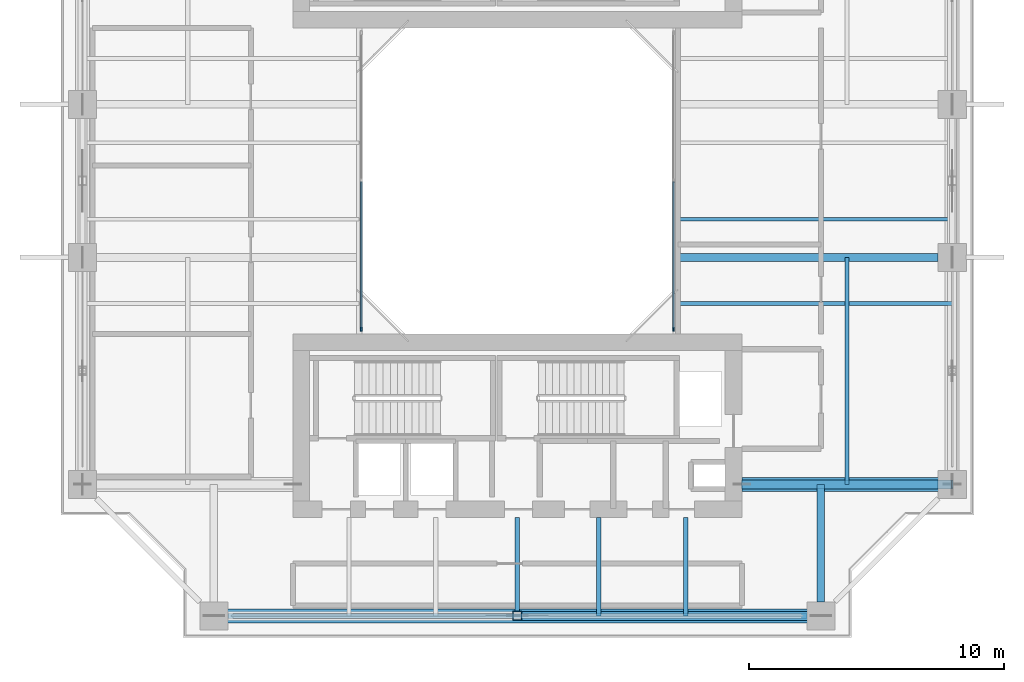
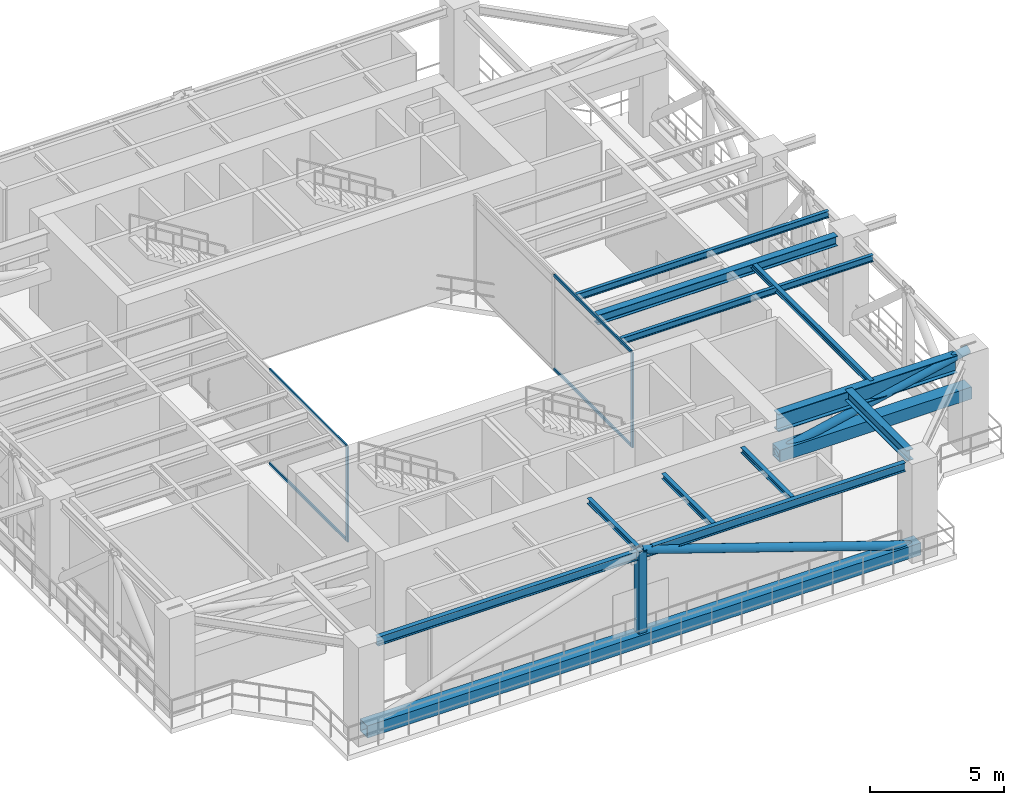
# One storey, part 2 of 11: 11 members, 10 beams, 2 elements without a shape of their own.
"""IFC4 building model written with IfcOpenShell, lengths in metres."""

import ifcopenshell
import ifcopenshell.guid

model = None  # the IFC model being written
_history = None  # IfcOwnerHistory: only IFC2X3 demands one
_inside = {}  # id of a spatial element -> (the spatial element, [elements in it])
_under = {}  # id of a project, library or spatial element -> (it, [spatial elements below it])
_declared = {}  # id of a project -> (the project, [libraries it declares])
_typed = {}  # id of a type object -> (the type object, [elements of that type])
_made_of = {}  # id of a material, layer set ... -> (it, [elements and type objects made of it])


def new_model(schema):
    """Start an empty IFC model of exactly this schema.

    Asked for "IFC4X3", IfcOpenShell would pick the latest addendum, in which some entities
    have other attributes; the version numbers below select the first issue.
    IFC2X3 requires an IfcOwnerHistory on every rooted entity: one is made here for all.
    """
    global model, _history
    if schema == "IFC4X3":
        model = ifcopenshell.file(schema_version=(4, 3, 0, 0))
    else:
        model = ifcopenshell.file(schema=schema)
    _inside.clear()
    _under.clear()
    _declared.clear()
    _typed.clear()
    _made_of.clear()
    _history = None
    if model.schema == "IFC2X3":
        org = make("IfcOrganization", Name="unknown")
        user = make(
            "IfcPersonAndOrganization",
            ThePerson=make("IfcPerson", FamilyName="unknown"),
            TheOrganization=org,
        )
        app = make(
            "IfcApplication",
            ApplicationDeveloper=org,
            Version="unknown",
            ApplicationFullName="unknown",
            ApplicationIdentifier="unknown",
        )
        _history = make(
            "IfcOwnerHistory",
            OwningUser=user,
            OwningApplication=app,
            ChangeAction="ADDED",
            CreationDate=0,
        )
    return model


def make(cls, **values):
    """One entity of the class cls with the attributes given. An attribute that is None is left unset."""
    return model.create_entity(
        cls, **{name: value for name, value in values.items() if value is not None}
    )


def rooted(cls, **values):
    """An entity with a GlobalId (a new one), such as an element, a storey or a relation."""
    return make(cls, GlobalId=ifcopenshell.guid.new(), OwnerHistory=_history, **values)


def si_unit(unit_type, name, prefix=None):
    """IfcSIUnit, for example si_unit("LENGTHUNIT", "METRE", prefix="MILLI")."""
    return make("IfcSIUnit", UnitType=unit_type, Prefix=prefix, Name=name)


def assignment(units):
    """IfcUnitAssignment: the units of a project."""
    return None if units is None else make("IfcUnitAssignment", Units=units)


def point(xyz):
    """IfcCartesianPoint."""
    return None if xyz is None else make("IfcCartesianPoint", Coordinates=xyz)


def direction(xyz):
    """IfcDirection."""
    return None if xyz is None else make("IfcDirection", DirectionRatios=xyz)


def frame(location, z_axis=None, x_axis=None):
    """IfcAxis2Placement3D, a coordinate frame: its origin and axes. An axis left out is left unset."""
    return make(
        "IfcAxis2Placement3D",
        Location=point(location),
        Axis=direction(z_axis),
        RefDirection=direction(x_axis),
    )


def frame_2d(location, x_axis=None):
    """IfcAxis2Placement2D, a coordinate frame in the plane: its origin and x axis."""
    return make(
        "IfcAxis2Placement2D", Location=point(location), RefDirection=direction(x_axis)
    )


def origin():
    """The frame at (0, 0, 0) with its axes left unset."""
    return frame((0.0, 0.0, 0.0))


def origin_2d():
    """The frame at (0, 0) in the plane with its x axis left unset."""
    return frame_2d((0.0, 0.0))


def place(relative_to, where):
    """IfcLocalPlacement: puts the frame where relative to a parent placement (None: the world)."""
    return make(
        "IfcLocalPlacement", PlacementRelTo=relative_to, RelativePlacement=where
    )


def context(
    kind, dimensions, precision=None, world=None, true_north=None, identifier=None
):
    """IfcGeometricRepresentationContext, for example the 3D "Model" context."""
    return make(
        "IfcGeometricRepresentationContext",
        ContextIdentifier=identifier,
        ContextType=kind,
        CoordinateSpaceDimension=dimensions,
        Precision=precision,
        WorldCoordinateSystem=world,
        TrueNorth=true_north,
    )


def subcontext(parent, identifier, kind, view, scale=None):
    """IfcGeometricRepresentationSubContext, for example "Body" below "Model"."""
    return make(
        "IfcGeometricRepresentationSubContext",
        ContextIdentifier=identifier,
        ContextType=kind,
        ParentContext=parent,
        TargetScale=scale,
        TargetView=view,
    )


def project(units=None, contexts=None):
    """IfcProject with its units and contexts."""
    return rooted(
        "IfcProject",
        Name="project",
        RepresentationContexts=contexts,
        UnitsInContext=assignment(units),
    )


def spatial(cls, under=None, at=None, **own):
    """A site, building, storey or space (cls), placed at a placement, below another one or the project."""
    s = rooted(cls, ObjectPlacement=at, **own)
    if under is not None:
        _under.setdefault(under.id(), (under, []))[1].append(s)
    return s


def profile(cls, at=None, kind="AREA", **sizes):
    """A parametric profile (cls). Its sizes go by their IFC names, for example OverallWidth=200.0."""
    return make(cls, ProfileType=kind, Position=at, **sizes)


def rectangle(**sizes):
    """IfcRectangleProfileDef."""
    return profile("IfcRectangleProfileDef", **sizes)


def hollow_rectangle(**sizes):
    """IfcRectangleHollowProfileDef."""
    return profile("IfcRectangleHollowProfileDef", **sizes)


def hollow_circle(**sizes):
    """IfcCircleHollowProfileDef."""
    return profile("IfcCircleHollowProfileDef", **sizes)


def i_section(**sizes):
    """IfcIShapeProfileDef."""
    return profile("IfcIShapeProfileDef", **sizes)


def extrude(swept, where, along, depth):
    """IfcExtrudedAreaSolid: the profile swept, set in the frame where, extruded along a direction by depth."""
    return make(
        "IfcExtrudedAreaSolid",
        SweptArea=swept,
        Position=where,
        ExtrudedDirection=direction(along),
        Depth=depth,
    )


def shape(context_of_items, identifier, shape_type, items):
    """IfcShapeRepresentation: the items that make up one representation, for example the "Body"."""
    return make(
        "IfcShapeRepresentation",
        ContextOfItems=context_of_items,
        RepresentationIdentifier=identifier,
        RepresentationType=shape_type,
        Items=items,
    )


def source(mapping_origin, context_of_items, identifier, shape_type, items):
    """IfcRepresentationMap: a shape defined once, which mapped items show again and again."""
    return make(
        "IfcRepresentationMap",
        MappingOrigin=mapping_origin,
        MappedRepresentation=shape(context_of_items, identifier, shape_type, items),
    )


def transform(
    local_origin,
    x_axis=None,
    y_axis=None,
    z_axis=None,
    scale=None,
    scale2=None,
    scale3=None,
    uniform=True,
):
    """IfcCartesianTransformationOperator3D, or its non-uniform kind. x_axis, y_axis, z_axis: its Axis1, 2, 3."""
    if uniform:
        return make(
            "IfcCartesianTransformationOperator3D",
            Axis1=direction(x_axis),
            Axis2=direction(y_axis),
            LocalOrigin=point(local_origin),
            Scale=scale,
            Axis3=direction(z_axis),
        )
    return make(
        "IfcCartesianTransformationOperator3DnonUniform",
        Axis1=direction(x_axis),
        Axis2=direction(y_axis),
        LocalOrigin=point(local_origin),
        Scale=scale,
        Axis3=direction(z_axis),
        Scale2=scale2,
        Scale3=scale3,
    )


def mapped(mapping_source, mapping_target):
    """IfcMappedItem: shows the shape of a source again, moved by a transform."""
    return make(
        "IfcMappedItem", MappingSource=mapping_source, MappingTarget=mapping_target
    )


def material(Name=None, Category=None):
    """IfcMaterial."""
    return make("IfcMaterial", Name=Name, Category=Category)


def layer(
    of_material, thickness, ventilated=None, Name=None, Category=None, Priority=None
):
    """IfcMaterialLayer: one layer of a wall or slab, of a material (None: an air gap)."""
    return make(
        "IfcMaterialLayer",
        Material=of_material,
        LayerThickness=thickness,
        IsVentilated=ventilated,
        Name=Name,
        Category=Category,
        Priority=Priority,
    )


def layer_set(layers, Name=None):
    """IfcMaterialLayerSet."""
    return make("IfcMaterialLayerSet", MaterialLayers=layers, LayerSetName=Name)


def material_profile(
    of_material, cross_section, Name=None, Category=None, Priority=None
):
    """IfcMaterialProfile: a cross section and its material."""
    return make(
        "IfcMaterialProfile",
        Name=Name,
        Material=of_material,
        Profile=cross_section,
        Priority=Priority,
        Category=Category,
    )


def profile_set(profiles, Name=None, composite=None):
    """IfcMaterialProfileSet."""
    return make(
        "IfcMaterialProfileSet",
        Name=Name,
        MaterialProfiles=profiles,
        CompositeProfile=composite,
    )


def made_of(thing, what):
    """Note that an element or type object is made of a material, layer set ...; save() writes the relation."""
    if what is not None:
        _made_of.setdefault(what.id(), (what, []))[1].append(thing)
    return thing


def type_object(cls, material=None, **own):
    """A type object (cls), such as IfcWallType, which elements share."""
    return made_of(rooted(cls, **own), material)


def element(
    cls,
    number,
    at=None,
    inside=None,
    cuts=None,
    type_object=None,
    material=None,
    context=None,
    identifier="Body",
    shape_type=None,
    held_by="IfcProductDefinitionShape",
    body=None,
    shapes=None,
    **own,
):
    """One element of the class cls, such as IfcWall. Its Tag is "e" and its number.

    at: its placement. inside: the storey or other place that contains it. cuts: it is an
    opening in that element (IfcRelVoidsElement). A single representation is given by context,
    identifier, shape_type and body (its items); several are given by shapes. held_by: the class
    of the entity that holds the representations. save() writes the other relations.
    """
    e = rooted(cls, Tag="e%d" % number, ObjectPlacement=at, **own)
    if body is not None:
        shapes = [shape(context, identifier, shape_type, body)]
    if shapes is not None:
        e.Representation = make(held_by, Representations=shapes)
    if inside is not None:
        _inside.setdefault(inside.id(), (inside, []))[1].append(e)
    if cuts is not None:
        rooted(
            "IfcRelVoidsElement", RelatingBuildingElement=cuts, RelatedOpeningElement=e
        )
    if type_object is not None:
        _typed.setdefault(type_object.id(), (type_object, []))[1].append(e)
    return made_of(e, material)


def aggregate(whole, parts):
    """IfcRelAggregates: a whole, such as a stair, and the parts it consists of."""
    return rooted("IfcRelAggregates", RelatingObject=whole, RelatedObjects=parts)


def save(model, path):
    """Write the relations noted so far, then the file.

    IfcRelAggregates (storeys below a building ...), IfcRelContainedInSpatialStructure (elements
    in a storey), IfcRelDefinesByType, IfcRelAssociatesMaterial and IfcRelDeclares: one each for
    every whole, place, type object, material and project.
    """
    for whole, parts in _under.values():
        aggregate(whole, parts)
    for where, things in _inside.values():
        rooted(
            "IfcRelContainedInSpatialStructure",
            RelatedElements=things,
            RelatingStructure=where,
        )
    for kind, things in _typed.values():
        rooted("IfcRelDefinesByType", RelatedObjects=things, RelatingType=kind)
    for what, things in _made_of.values():
        rooted("IfcRelAssociatesMaterial", RelatedObjects=things, RelatingMaterial=what)
    for by, libraries in _declared.values():
        rooted("IfcRelDeclares", RelatingContext=by, RelatedDefinitions=libraries)
    model.write(path)


model = new_model("IFC4")

# Units and contexts
model_context = context("Model", 3, precision=1e-05, world=origin(), true_north=direction((0.0, 1.0)))
body_context = subcontext(model_context, "Body", "Model", "MODEL_VIEW")
ifc_project = project(units=[si_unit("LENGTHUNIT", "METRE"), si_unit("AREAUNIT", "SQUARE_METRE"), si_unit("VOLUMEUNIT", "CUBIC_METRE"), si_unit("PLANEANGLEUNIT", "RADIAN"), si_unit("MASSUNIT", "GRAM", prefix="KILO"), si_unit("THERMODYNAMICTEMPERATUREUNIT", "KELVIN"), si_unit("POWERUNIT", "WATT")], contexts=[model_context])

# Site, building, storey
site_placement = place(None, origin())
site = spatial("IfcSite", under=ifc_project, at=site_placement, CompositionType="ELEMENT")
building_placement = place(site_placement, origin())
building = spatial("IfcBuilding", under=site, at=building_placement, Name="Qiaomeng Ring Towers", CompositionType="ELEMENT")
storey_placement = place(building_placement, frame((0.0, 0.0, 139.25)))
storey = spatial("IfcBuildingStorey", under=building, at=storey_placement, Name="L40", CompositionType="ELEMENT", Elevation=139.25)

# Member
ifc_material_1 = material(Name="Steel Q390GJC", Category="steel")
ifc_material_profile_1 = material_profile(ifc_material_1, hollow_rectangle(XDim=0.35009765625, YDim=0.35009765625, WallThickness=0.02001953125, at=origin_2d()), Name="SHS 350x350x20")
ifc_profile_set_1 = profile_set([ifc_material_profile_1], Name="Steel Q390GJC")
member_type_1 = type_object("IfcMemberType", Name="STR-MB-POST-350", PredefinedType="POST", material=ifc_profile_set_1)
shared_shape_1 = source(origin(), body_context, "Body", "SweptSolid", [
    extrude(hollow_rectangle(XDim=0.35009765625, YDim=0.35009765625, WallThickness=0.02001953125, at=origin_2d()), origin(), (0.0, 0.0, 1.0), 4.0),
])
member_1_placement = place(storey_placement, frame((19.0, 5.949951171875, 0.320068359375), z_axis=(0.0, 0.0, 1.0), x_axis=(1.0, 0.0, 0.0)))
element("IfcMember", 1, at=member_1_placement, inside=storey, type_object=member_type_1, Name="L40 Belt Truss Post S1-S2", PredefinedType="POST", context=body_context, shape_type="MappedRepresentation", body=[
    mapped(shared_shape_1, transform((0.0, 0.0, 0.0), x_axis=(1.0, 0.0, 0.0), y_axis=(0.0, 1.0, 0.0), z_axis=(0.0, 0.0, 1.0), scale=1.0)),
])

# Beams
ifc_material_2 = material(Name="Steel Q355B", Category="steel")
ifc_material_profile_2 = material_profile(ifc_material_2, i_section(OverallWidth=0.199951171875, OverallDepth=0.39990234375, WebThickness=0.008056640625, FlangeThickness=0.012939453125, FilletRadius=0.01611328125, at=origin_2d()), Name="HN 400x200x8x13")
ifc_profile_set_2 = profile_set([ifc_material_profile_2], Name="Steel Q355B")
beam_type_1 = type_object("IfcBeamType", Name="STR-BM-HN400", PredefinedType="SPANDREL", material=ifc_profile_set_2)
shared_shape_2 = source(origin(), body_context, "Body", "SweptSolid", [
    extrude(i_section(OverallWidth=0.199951171875, OverallDepth=0.39990234375, WebThickness=0.008056640625, FlangeThickness=0.012939453125, FilletRadius=0.01611328125, at=origin_2d()), origin(), (0.0, 0.0, 1.0), 22.7021484375),
])
beam_1_placement = place(storey_placement, frame((7.64892578125, 5.949951171875, 4.1201171875), z_axis=(1.0, 0.0, 0.0), x_axis=(0.0, 1.0, 0.0)))
element("IfcBeam", 2, at=beam_1_placement, inside=storey, type_object=beam_type_1, Name="L40 beam STR-SP-L40-T1-S1-S2", PredefinedType="SPANDREL", context=body_context, shape_type="MappedRepresentation", body=[
    mapped(shared_shape_2, transform((0.0, 0.0, 0.0), x_axis=(1.0, 0.0, 0.0), y_axis=(0.0, 1.0, 0.0), z_axis=(0.0, 0.0, 1.0), scale=1.0)),
])
ifc_material_profile_3 = material_profile(ifc_material_1, i_section(OverallWidth=0.35009765625, OverallDepth=0.800048828125, WebThickness=0.01611328125, FlangeThickness=0.028076171875, at=origin_2d()), Name="WH 800x350x16x28")
ifc_profile_set_3 = profile_set([ifc_material_profile_3], Name="Steel Q390GJC")
beam_type_2 = type_object("IfcBeamType", Name="STR-BM-WH800", PredefinedType="BEAM", material=ifc_profile_set_3)
shared_shape_3 = source(origin(), body_context, "Body", "SweptSolid", [
    extrude(i_section(OverallWidth=0.35009765625, OverallDepth=0.800048828125, WebThickness=0.01611328125, FlangeThickness=0.028076171875, at=origin_2d()), origin(), (0.0, 0.0, 1.0), 7.700927734375),
])
beam_2_placement = place(storey_placement, frame((27.800048828125, 11.10009765625, 3.919921875), z_axis=(1.0, 0.0, 0.0), x_axis=(0.0, 1.0, 0.0)))
element("IfcBeam", 3, at=beam_2_placement, inside=storey, type_object=beam_type_2, Name="L40 beam STR-BM-L40-T1-RAD-E1", PredefinedType="BEAM", context=body_context, shape_type="MappedRepresentation", body=[
    mapped(shared_shape_3, transform((0.0, 0.0, 0.0), x_axis=(1.0, 0.0, 0.0), y_axis=(0.0, 1.0, 0.0), z_axis=(0.0, 0.0, 1.0), scale=1.0)),
])
ifc_material_profile_4 = material_profile(ifc_material_2, i_section(OverallWidth=0.300048828125, OverallDepth=0.488037109375, WebThickness=0.010986328125, FlangeThickness=0.01806640625, FilletRadius=0.02587890625, at=origin_2d()), Name="HM 488x300x11x18")
ifc_profile_set_4 = profile_set([ifc_material_profile_4], Name="Steel Q355B")
beam_type_3 = type_object("IfcBeamType", Name="STR-BM-HM488", PredefinedType="BEAM", material=ifc_profile_set_4)
shared_shape_4 = source(origin(), body_context, "Body", "SweptSolid", [
    extrude(i_section(OverallWidth=0.300048828125, OverallDepth=0.488037109375, WebThickness=0.010986328125, FlangeThickness=0.01806640625, FilletRadius=0.02587890625, at=origin_2d()), origin(), (0.0, 0.0, 1.0), 4.60107421875),
])
beam_3_placement = place(storey_placement, frame((30.89990234375, 6.4990234375, 4.075927734375), z_axis=(0.0, 1.0, 0.0), x_axis=(-1.0, 0.0, 0.0)))
element("IfcBeam", 4, at=beam_3_placement, inside=storey, type_object=beam_type_3, Name="L40 beam STR-BM-L40-T1-RAD-S2", PredefinedType="BEAM", context=body_context, shape_type="MappedRepresentation", body=[
    mapped(shared_shape_4, transform((0.0, 0.0, 0.0), x_axis=(1.0, 0.0, 0.0), y_axis=(0.0, 1.0, 0.0), z_axis=(0.0, 0.0, 1.0), scale=1.0)),
])
ifc_material_profile_5 = material_profile(ifc_material_2, i_section(OverallWidth=0.300048828125, OverallDepth=0.43994140625, WebThickness=0.010986328125, FlangeThickness=0.01806640625, FilletRadius=0.02392578125, at=origin_2d()), Name="HM 440x300x11x18")
ifc_profile_set_5 = profile_set([ifc_material_profile_5], Name="Steel Q355B")
beam_type_4 = type_object("IfcBeamType", Name="STR-BM-HM440", PredefinedType="BEAM", material=ifc_profile_set_5)
shared_shape_5 = source(origin(), body_context, "Body", "SweptSolid", [
    extrude(i_section(OverallWidth=0.300048828125, OverallDepth=0.43994140625, WebThickness=0.010986328125, FlangeThickness=0.01806640625, FilletRadius=0.02392578125, at=origin_2d()), origin(), (0.0, 0.0, 1.0), 10.301025390625),
])
beam_4_placement = place(storey_placement, frame((25.199951171875, 20.0, 4.10009765625), z_axis=(1.0, 0.0, 0.0), x_axis=(0.0, 1.0, 0.0)))
element("IfcBeam", 5, at=beam_4_placement, inside=storey, type_object=beam_type_4, Name="L40 beam STR-BM-L40-T1-RAD-E2", PredefinedType="BEAM", context=body_context, shape_type="MappedRepresentation", body=[
    mapped(shared_shape_5, transform((0.0, 0.0, 0.0), x_axis=(1.0, 0.0, 0.0), y_axis=(0.0, 1.0, 0.0), z_axis=(0.0, 0.0, 1.0), scale=1.0)),
])
ifc_material_profile_6 = material_profile(ifc_material_2, i_section(OverallWidth=0.175048828125, OverallDepth=0.243896484375, WebThickness=0.007080078125, FlangeThickness=0.010986328125, FilletRadius=0.01611328125, at=origin_2d()), Name="HM 244x175x7x11")
ifc_profile_set_6 = profile_set([ifc_material_profile_6], Name="Steel Q355B")
beam_type_5 = type_object("IfcBeamType", Name="STR-BM-HM244", PredefinedType="JOIST", material=ifc_profile_set_6)
shared_shape_6 = source(origin(), body_context, "Body", "SweptSolid", [
    extrude(i_section(OverallWidth=0.175048828125, OverallDepth=0.243896484375, WebThickness=0.007080078125, FlangeThickness=0.010986328125, FilletRadius=0.01611328125, at=origin_2d()), origin(), (0.0, 0.0, 1.0), 3.85009765625),
])
for number, where, z_axis, x_axis, name in (
    (6, (19.0, 5.949951171875, 4.197998046875), (0.0, 1.0, 0.0), (-1.0, 0.0, 0.0), "L40 beam STR-JST-L40-T1S-3"),
    (7, (22.199951171875, 5.949951171875, 4.197998046875), (0.0, 1.0, 0.0), (-1.0, 0.0, 0.0), "L40 beam STR-JST-L40-T1S-4"),
    (8, (25.60009765625, 5.949951171875, 4.197998046875), (0.0, 1.0, 0.0), (-1.0, 0.0, 0.0), "L40 beam STR-JST-L40-T1S-5"),
):
    element("IfcBeam", number, at=place(storey_placement, frame(where, z_axis=z_axis, x_axis=x_axis)), inside=storey, type_object=beam_type_5, Name=name, PredefinedType="JOIST", context=body_context, shape_type="MappedRepresentation", body=[
        mapped(shared_shape_6, transform((0.0, 0.0, 0.0), x_axis=(1.0, 0.0, 0.0), y_axis=(0.0, 1.0, 0.0), z_axis=(0.0, 0.0, 1.0), scale=1.0)),
    ])
ifc_material_profile_7 = material_profile(ifc_material_2, i_section(OverallWidth=0.14990234375, OverallDepth=0.300048828125, WebThickness=0.006591796875, FlangeThickness=0.009033203125, FilletRadius=0.012939453125, at=origin_2d()), Name="HN 300x150x6.5x9")
ifc_profile_set_7 = profile_set([ifc_material_profile_7], Name="Steel Q355B")
beam_type_6 = type_object("IfcBeamType", Name="STR-BM-HN300", PredefinedType="JOIST", material=ifc_profile_set_7)
shared_shape_7 = source(origin(), body_context, "Body", "SweptSolid", [
    extrude(i_section(OverallWidth=0.14990234375, OverallDepth=0.300048828125, WebThickness=0.006591796875, FlangeThickness=0.009033203125, FilletRadius=0.012939453125, at=origin_2d()), origin(), (0.0, 0.0, 1.0), 10.85009765625),
])
for number, where, z_axis, x_axis, name in (
    (9, (25.199951171875, 18.199951171875, 4.169921875), (1.0, 0.0, 0.0), (0.0, 1.0, 0.0), "L40 beam STR-JST-L40-T1E-1"),
    (10, (25.199951171875, 21.5, 4.169921875), (1.0, 0.0, 0.0), (0.0, 1.0, 0.0), "L40 beam STR-JST-L40-T1E-2"),
):
    element("IfcBeam", number, at=place(storey_placement, frame(where, z_axis=z_axis, x_axis=x_axis)), inside=storey, type_object=beam_type_6, Name=name, PredefinedType="JOIST", context=body_context, shape_type="MappedRepresentation", body=[
        mapped(shared_shape_7, transform((0.0, 0.0, 0.0), x_axis=(1.0, 0.0, 0.0), y_axis=(0.0, 1.0, 0.0), z_axis=(0.0, 0.0, 1.0), scale=1.0)),
    ])
shared_shape_8 = source(origin(), body_context, "Body", "SweptSolid", [
    extrude(i_section(OverallWidth=0.175048828125, OverallDepth=0.243896484375, WebThickness=0.007080078125, FlangeThickness=0.010986328125, FilletRadius=0.01611328125, at=origin_2d()), origin(), (0.0, 0.0, 1.0), 8.89990234375),
])
beam_5_placement = place(storey_placement, frame((31.925048828125, 11.10009765625, 4.197998046875), z_axis=(0.0, 1.0, 0.0), x_axis=(-1.0, 0.0, 0.0)))
element("IfcBeam", 11, at=beam_5_placement, inside=storey, type_object=beam_type_5, Name="L40 beam STR-JST-L40-T1C-ES", PredefinedType="JOIST", context=body_context, shape_type="MappedRepresentation", body=[
    mapped(shared_shape_8, transform((0.0, 0.0, 0.0), x_axis=(1.0, 0.0, 0.0), y_axis=(0.0, 1.0, 0.0), z_axis=(0.0, 0.0, 1.0), scale=1.0)),
])

# Members
ifc_material_profile_8 = material_profile(ifc_material_1, hollow_rectangle(XDim=0.550048828125, YDim=0.550048828125, WallThickness=0.031982421875, at=origin_2d()), Name="SHS 550x550x32")
ifc_profile_set_8 = profile_set([ifc_material_profile_8], Name="Steel Q390GJC")
member_type_2 = type_object("IfcMemberType", Name="STR-MB-CHORD-550", PredefinedType="CHORD", material=ifc_profile_set_8)
shared_shape_9 = source(origin(), body_context, "Body", "SweptSolid", [
    extrude(hollow_rectangle(XDim=0.550048828125, YDim=0.550048828125, WallThickness=0.031982421875, at=origin_2d()), origin(), (0.0, 0.0, 1.0), 23.7998046875),
])
member_2_placement = place(storey_placement, frame((7.10009765625, 5.949951171875, 0.320068359375), z_axis=(1.0, 0.0, 0.0), x_axis=(0.0, 1.0, 0.0)))
element("IfcMember", 12, at=member_2_placement, inside=storey, type_object=member_type_2, Name="L40 Belt Truss Bottom Chord S1-S2", PredefinedType="CHORD", context=body_context, shape_type="MappedRepresentation", body=[
    mapped(shared_shape_9, transform((0.0, 0.0, 0.0), x_axis=(1.0, 0.0, 0.0), y_axis=(0.0, 1.0, 0.0), z_axis=(0.0, 0.0, 1.0), scale=1.0)),
])
ifc_material_profile_9 = material_profile(ifc_material_1, hollow_circle(Radius=0.177978515625, WallThickness=0.02001953125, at=origin_2d()), Name="CHS 356x20")
ifc_profile_set_9 = profile_set([ifc_material_profile_9], Name="Steel Q390GJC")
member_type_3 = type_object("IfcMemberType", Name="STR-MB-BR-356", PredefinedType="BRACE", material=ifc_profile_set_9)
shared_shape_10 = source(origin(), body_context, "Body", "SweptSolid", [
    extrude(hollow_circle(Radius=0.177978515625, WallThickness=0.02001953125, at=origin_2d()), origin(), (0.0, 0.0, 1.0), 12.5478515625),
])
member_3_placement = place(storey_placement, frame((30.89990234375, 5.949951171875, 0.320068359375), z_axis=(-0.948363723431, 0.0, 0.317184879967), x_axis=(0.0, -1.0, 0.0)))
element("IfcMember", 13, at=member_3_placement, inside=storey, type_object=member_type_3, Name="L40 Belt Truss Diagonal S2-M", PredefinedType="BRACE", context=body_context, shape_type="MappedRepresentation", body=[
    mapped(shared_shape_10, transform((0.0, 0.0, 0.0), x_axis=(1.0, 0.0, 0.0), y_axis=(0.0, 1.0, 0.0), z_axis=(0.0, 0.0, 1.0), scale=1.0)),
])
shared_shape_11 = source(origin(), body_context, "Body", "SweptSolid", [
    extrude(hollow_rectangle(XDim=0.550048828125, YDim=0.550048828125, WallThickness=0.031982421875, at=origin_2d()), origin(), (0.0, 0.0, 1.0), 8.25),
])
member_4_placement = place(storey_placement, frame((27.800048828125, 11.10009765625, 2.47998046875), z_axis=(1.0, 0.0, 0.0), x_axis=(0.0, 1.0, 0.0)))
element("IfcMember", 14, at=member_4_placement, inside=storey, type_object=member_type_2, Name="L40 Core Outrigger Truss Bottom Chord E1", PredefinedType="CHORD", context=body_context, shape_type="MappedRepresentation", body=[
    mapped(shared_shape_11, transform((0.0, 0.0, 0.0), x_axis=(1.0, 0.0, 0.0), y_axis=(0.0, 1.0, 0.0), z_axis=(0.0, 0.0, 1.0), scale=1.0)),
])
shared_shape_12 = source(origin(), body_context, "Body", "SweptSolid", [
    extrude(hollow_circle(Radius=0.177978515625, WallThickness=0.02001953125, at=origin_2d()), origin(), (0.0, 0.0, 1.0), 8.448486328125),
])
member_5_placement = place(storey_placement, frame((27.800048828125, 11.10009765625, 2.47998046875), z_axis=(0.976518409555, 0.0, 0.215433970858), x_axis=(0.0, 1.0, 0.0)))
element("IfcMember", 15, at=member_5_placement, inside=storey, type_object=member_type_3, Name="L40 Core Outrigger Truss Diagonal E1", PredefinedType="BRACE", context=body_context, shape_type="MappedRepresentation", body=[
    mapped(shared_shape_12, transform((0.0, 0.0, 0.0), x_axis=(1.0, 0.0, 0.0), y_axis=(0.0, 1.0, 0.0), z_axis=(0.0, 0.0, 1.0), scale=1.0)),
])

# Curtain wall, members
ifc_material_3 = material(Name="Fluorocarbon dark-grey aluminium", Category="aluminium")
ifc_layer = layer(ifc_material_3, 0.139892578125, Name="Fluorocarbon dark-grey aluminium")
ifc_layer_set = layer_set([ifc_layer], Name="Fluorocarbon dark-grey aluminium")
curtain_wall_type = type_object("IfcCurtainWallType", Name="ARC-CW-4", PredefinedType="NOTDEFINED", material=ifc_layer_set)
curtain_wall_1_placement = place(storey_placement, origin())
curtain_wall_1 = element("IfcCurtainWall", 16, at=curtain_wall_1_placement, inside=storey, type_object=curtain_wall_type, Name="L40 Curtain Wall CW4", PredefinedType="NOTDEFINED")
ifc_material_profile_10 = material_profile(ifc_material_3, rectangle(XDim=0.06494140625, YDim=0.1298828125, at=origin_2d()), Name="ALU TRAN 65x130")
ifc_profile_set_10 = profile_set([ifc_material_profile_10], Name="Fluorocarbon dark-grey aluminium")
member_type_4 = type_object("IfcMemberType", Name="ARC-CWT-120", PredefinedType="USERDEFINED", material=ifc_profile_set_10)
shared_shape_13 = source(origin(), body_context, "Body", "SweptSolid", [
    extrude(rectangle(XDim=0.06494140625, YDim=0.1298828125, at=origin_2d()), origin(), (0.0, 0.0, 1.0), 5.75244140625),
])
member_6_placement = place(storey_placement, frame((12.8798828125, 17.215087890625, 0.032470703125), z_axis=(0.0, 1.0, 0.0), x_axis=(-1.0, 0.0, 0.0)))
member_6 = element("IfcMember", 17, at=member_6_placement, type_object=member_type_4, Name="CW4 transom 1.1", ObjectType="TRANSOM", PredefinedType="USERDEFINED", context=body_context, shape_type="MappedRepresentation", body=[
    mapped(shared_shape_13, transform((0.0, 0.0, 0.0), x_axis=(1.0, 0.0, 0.0), y_axis=(0.0, 1.0, 0.0), z_axis=(0.0, 0.0, 1.0), scale=1.0)),
])
member_7_placement = place(storey_placement, frame((12.8798828125, 17.215087890625, 4.28759765625), z_axis=(0.0, 1.0, 0.0), x_axis=(-1.0, 0.0, 0.0)))
member_7 = element("IfcMember", 18, at=member_7_placement, type_object=member_type_4, Name="CW4 transom 1.2", ObjectType="TRANSOM", PredefinedType="USERDEFINED", context=body_context, shape_type="MappedRepresentation", body=[
    mapped(shared_shape_13, transform((0.0, 0.0, 0.0), x_axis=(1.0, 0.0, 0.0), y_axis=(0.0, 1.0, 0.0), z_axis=(0.0, 0.0, 1.0), scale=1.0)),
])

curtain_wall_2_placement = place(storey_placement, origin())
curtain_wall_2 = element("IfcCurtainWall", 19, at=curtain_wall_2_placement, inside=storey, type_object=curtain_wall_type, Name="L40 Curtain Wall CW4", PredefinedType="NOTDEFINED")
member_8_placement = place(storey_placement, frame((25.1201171875, 17.215087890625, 0.032470703125), z_axis=(0.0, 1.0, 0.0), x_axis=(-1.0, 0.0, 0.0)))
member_8 = element("IfcMember", 20, at=member_8_placement, type_object=member_type_4, Name="CW4 transom 1.1", ObjectType="TRANSOM", PredefinedType="USERDEFINED", context=body_context, shape_type="MappedRepresentation", body=[
    mapped(shared_shape_13, transform((0.0, 0.0, 0.0), x_axis=(1.0, 0.0, 0.0), y_axis=(0.0, 1.0, 0.0), z_axis=(0.0, 0.0, 1.0), scale=1.0)),
])
member_9_placement = place(storey_placement, frame((25.1201171875, 17.215087890625, 4.28759765625), z_axis=(0.0, 1.0, 0.0), x_axis=(-1.0, 0.0, 0.0)))
member_9 = element("IfcMember", 21, at=member_9_placement, type_object=member_type_4, Name="CW4 transom 1.2", ObjectType="TRANSOM", PredefinedType="USERDEFINED", context=body_context, shape_type="MappedRepresentation", body=[
    mapped(shared_shape_13, transform((0.0, 0.0, 0.0), x_axis=(1.0, 0.0, 0.0), y_axis=(0.0, 1.0, 0.0), z_axis=(0.0, 0.0, 1.0), scale=1.0)),
])

# Member
ifc_material_profile_11 = material_profile(ifc_material_3, rectangle(XDim=0.06494140625, YDim=0.159912109375, at=origin_2d()), Name="ALU MULL 65x160")
ifc_profile_set_11 = profile_set([ifc_material_profile_11], Name="Fluorocarbon dark-grey aluminium")
member_type_5 = type_object("IfcMemberType", Name="ARC-CWM-140", PredefinedType="MULLION", material=ifc_profile_set_11)
shared_shape_14 = source(origin(), body_context, "Body", "SweptSolid", [
    extrude(rectangle(XDim=0.06494140625, YDim=0.159912109375, at=origin_2d()), origin(), (0.0, 0.0, 1.0), 4.320068359375),
])
member_10_placement = place(storey_placement, frame((12.8798828125, 17.1826171875, 0.0), z_axis=(0.0, 0.0, 1.0), x_axis=(-1.0, 0.0, 0.0)))
member_10 = element("IfcMember", 22, at=member_10_placement, type_object=member_type_5, Name="CW4 mullion 1", PredefinedType="MULLION", context=body_context, shape_type="MappedRepresentation", body=[
    mapped(shared_shape_14, transform((0.0, 0.0, 0.0), x_axis=(1.0, 0.0, 0.0), y_axis=(0.0, 1.0, 0.0), z_axis=(0.0, 0.0, 1.0), scale=1.0)),
])

aggregate(curtain_wall_1, [member_10, member_6, member_7])

member_11_placement = place(storey_placement, frame((25.1201171875, 17.1826171875, 0.0), z_axis=(0.0, 0.0, 1.0), x_axis=(-1.0, 0.0, 0.0)))
member_11 = element("IfcMember", 23, at=member_11_placement, type_object=member_type_5, Name="CW4 mullion 1", PredefinedType="MULLION", context=body_context, shape_type="MappedRepresentation", body=[
    mapped(shared_shape_14, transform((0.0, 0.0, 0.0), x_axis=(1.0, 0.0, 0.0), y_axis=(0.0, 1.0, 0.0), z_axis=(0.0, 0.0, 1.0), scale=1.0)),
])

aggregate(curtain_wall_2, [member_11, member_8, member_9])

save(model, "model.ifc")
